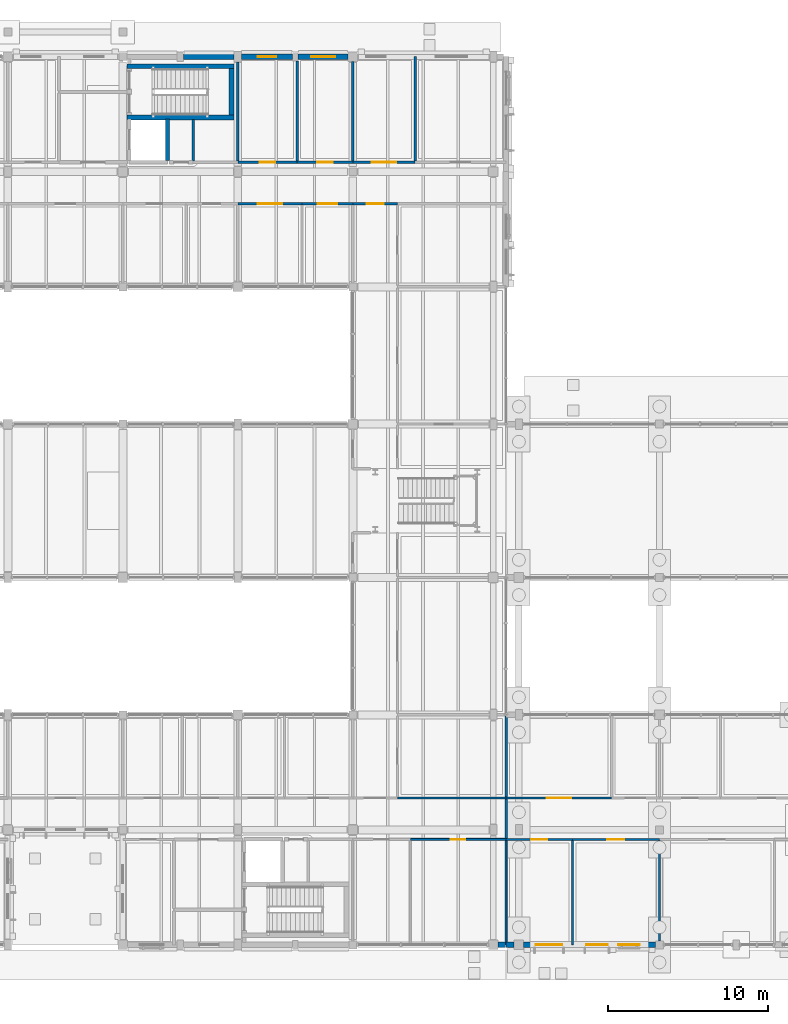
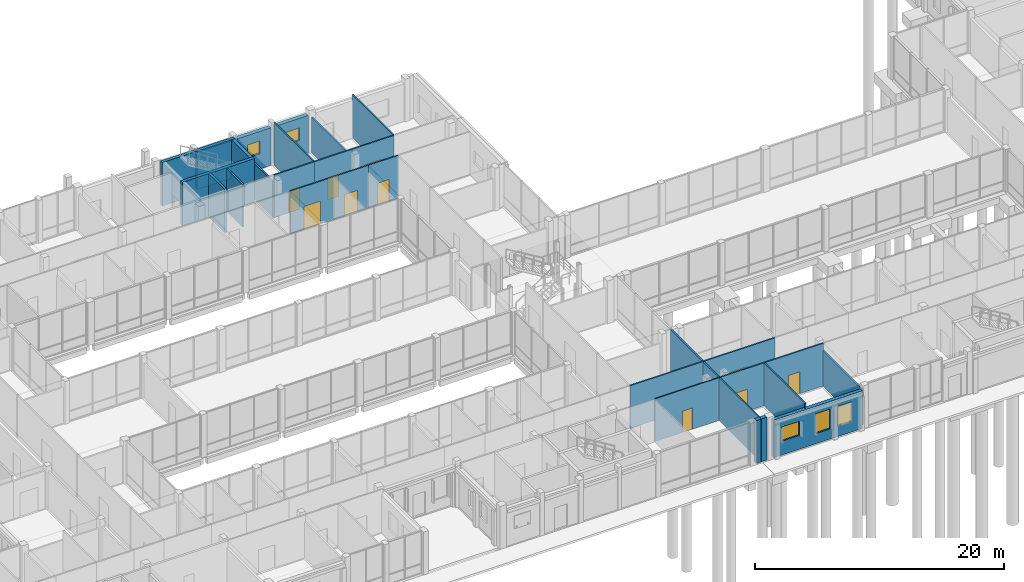
# One storey, part 77 of 104: 31 walls, 10 doors, 5 windows, 15 openings.
"""IFC4 building model written with IfcOpenShell, lengths in metres."""

import ifcopenshell
import ifcopenshell.guid

model = None  # the IFC model being written
_history = None  # IfcOwnerHistory: only IFC2X3 demands one
_inside = {}  # id of a spatial element -> (the spatial element, [elements in it])
_under = {}  # id of a project, library or spatial element -> (it, [spatial elements below it])
_declared = {}  # id of a project -> (the project, [libraries it declares])
_typed = {}  # id of a type object -> (the type object, [elements of that type])
_made_of = {}  # id of a material, layer set ... -> (it, [elements and type objects made of it])


def new_model(schema):
    """Start an empty IFC model of exactly this schema.

    Asked for "IFC4X3", IfcOpenShell would pick the latest addendum, in which some entities
    have other attributes; the version numbers below select the first issue.
    IFC2X3 requires an IfcOwnerHistory on every rooted entity: one is made here for all.
    """
    global model, _history
    if schema == "IFC4X3":
        model = ifcopenshell.file(schema_version=(4, 3, 0, 0))
    else:
        model = ifcopenshell.file(schema=schema)
    _inside.clear()
    _under.clear()
    _declared.clear()
    _typed.clear()
    _made_of.clear()
    _history = None
    if model.schema == "IFC2X3":
        org = make("IfcOrganization", Name="unknown")
        user = make(
            "IfcPersonAndOrganization",
            ThePerson=make("IfcPerson", FamilyName="unknown"),
            TheOrganization=org,
        )
        app = make(
            "IfcApplication",
            ApplicationDeveloper=org,
            Version="unknown",
            ApplicationFullName="unknown",
            ApplicationIdentifier="unknown",
        )
        _history = make(
            "IfcOwnerHistory",
            OwningUser=user,
            OwningApplication=app,
            ChangeAction="ADDED",
            CreationDate=0,
        )
    return model


def make(cls, **values):
    """One entity of the class cls with the attributes given. An attribute that is None is left unset."""
    return model.create_entity(
        cls, **{name: value for name, value in values.items() if value is not None}
    )


def rooted(cls, **values):
    """An entity with a GlobalId (a new one), such as an element, a storey or a relation."""
    return make(cls, GlobalId=ifcopenshell.guid.new(), OwnerHistory=_history, **values)


def si_unit(unit_type, name, prefix=None):
    """IfcSIUnit, for example si_unit("LENGTHUNIT", "METRE", prefix="MILLI")."""
    return make("IfcSIUnit", UnitType=unit_type, Prefix=prefix, Name=name)


def assignment(units):
    """IfcUnitAssignment: the units of a project."""
    return None if units is None else make("IfcUnitAssignment", Units=units)


def point(xyz):
    """IfcCartesianPoint."""
    return None if xyz is None else make("IfcCartesianPoint", Coordinates=xyz)


def direction(xyz):
    """IfcDirection."""
    return None if xyz is None else make("IfcDirection", DirectionRatios=xyz)


def frame(location, z_axis=None, x_axis=None):
    """IfcAxis2Placement3D, a coordinate frame: its origin and axes. An axis left out is left unset."""
    return make(
        "IfcAxis2Placement3D",
        Location=point(location),
        Axis=direction(z_axis),
        RefDirection=direction(x_axis),
    )


def frame_2d(location, x_axis=None):
    """IfcAxis2Placement2D, a coordinate frame in the plane: its origin and x axis."""
    return make(
        "IfcAxis2Placement2D", Location=point(location), RefDirection=direction(x_axis)
    )


def origin():
    """The frame at (0, 0, 0) with its axes left unset."""
    return frame((0.0, 0.0, 0.0))


def place(relative_to, where):
    """IfcLocalPlacement: puts the frame where relative to a parent placement (None: the world)."""
    return make(
        "IfcLocalPlacement", PlacementRelTo=relative_to, RelativePlacement=where
    )


def context(
    kind, dimensions, precision=None, world=None, true_north=None, identifier=None
):
    """IfcGeometricRepresentationContext, for example the 3D "Model" context."""
    return make(
        "IfcGeometricRepresentationContext",
        ContextIdentifier=identifier,
        ContextType=kind,
        CoordinateSpaceDimension=dimensions,
        Precision=precision,
        WorldCoordinateSystem=world,
        TrueNorth=true_north,
    )


def subcontext(parent, identifier, kind, view, scale=None):
    """IfcGeometricRepresentationSubContext, for example "Body" below "Model"."""
    return make(
        "IfcGeometricRepresentationSubContext",
        ContextIdentifier=identifier,
        ContextType=kind,
        ParentContext=parent,
        TargetScale=scale,
        TargetView=view,
    )


def project(units=None, contexts=None):
    """IfcProject with its units and contexts."""
    return rooted(
        "IfcProject",
        Name="project",
        RepresentationContexts=contexts,
        UnitsInContext=assignment(units),
    )


def spatial(cls, under=None, at=None, **own):
    """A site, building, storey or space (cls), placed at a placement, below another one or the project."""
    s = rooted(cls, ObjectPlacement=at, **own)
    if under is not None:
        _under.setdefault(under.id(), (under, []))[1].append(s)
    return s


def profile(cls, at=None, kind="AREA", **sizes):
    """A parametric profile (cls). Its sizes go by their IFC names, for example OverallWidth=200.0."""
    return make(cls, ProfileType=kind, Position=at, **sizes)


def rectangle(**sizes):
    """IfcRectangleProfileDef."""
    return profile("IfcRectangleProfileDef", **sizes)


def extrude(swept, where, along, depth):
    """IfcExtrudedAreaSolid: the profile swept, set in the frame where, extruded along a direction by depth."""
    return make(
        "IfcExtrudedAreaSolid",
        SweptArea=swept,
        Position=where,
        ExtrudedDirection=direction(along),
        Depth=depth,
    )


def shape(context_of_items, identifier, shape_type, items):
    """IfcShapeRepresentation: the items that make up one representation, for example the "Body"."""
    return make(
        "IfcShapeRepresentation",
        ContextOfItems=context_of_items,
        RepresentationIdentifier=identifier,
        RepresentationType=shape_type,
        Items=items,
    )


def material(Name=None, Category=None):
    """IfcMaterial."""
    return make("IfcMaterial", Name=Name, Category=Category)


def layer(
    of_material, thickness, ventilated=None, Name=None, Category=None, Priority=None
):
    """IfcMaterialLayer: one layer of a wall or slab, of a material (None: an air gap)."""
    return make(
        "IfcMaterialLayer",
        Material=of_material,
        LayerThickness=thickness,
        IsVentilated=ventilated,
        Name=Name,
        Category=Category,
        Priority=Priority,
    )


def layer_set(layers, Name=None):
    """IfcMaterialLayerSet."""
    return make("IfcMaterialLayerSet", MaterialLayers=layers, LayerSetName=Name)


def made_of(thing, what):
    """Note that an element or type object is made of a material, layer set ...; save() writes the relation."""
    if what is not None:
        _made_of.setdefault(what.id(), (what, []))[1].append(thing)
    return thing


def type_object(cls, material=None, **own):
    """A type object (cls), such as IfcWallType, which elements share."""
    return made_of(rooted(cls, **own), material)


def element(
    cls,
    number,
    at=None,
    inside=None,
    cuts=None,
    type_object=None,
    material=None,
    context=None,
    identifier="Body",
    shape_type=None,
    held_by="IfcProductDefinitionShape",
    body=None,
    shapes=None,
    **own,
):
    """One element of the class cls, such as IfcWall. Its Tag is "e" and its number.

    at: its placement. inside: the storey or other place that contains it. cuts: it is an
    opening in that element (IfcRelVoidsElement). A single representation is given by context,
    identifier, shape_type and body (its items); several are given by shapes. held_by: the class
    of the entity that holds the representations. save() writes the other relations.
    """
    e = rooted(cls, Tag="e%d" % number, ObjectPlacement=at, **own)
    if body is not None:
        shapes = [shape(context, identifier, shape_type, body)]
    if shapes is not None:
        e.Representation = make(held_by, Representations=shapes)
    if inside is not None:
        _inside.setdefault(inside.id(), (inside, []))[1].append(e)
    if cuts is not None:
        rooted(
            "IfcRelVoidsElement", RelatingBuildingElement=cuts, RelatedOpeningElement=e
        )
    if type_object is not None:
        _typed.setdefault(type_object.id(), (type_object, []))[1].append(e)
    return made_of(e, material)


def fill(opening, filler):
    """IfcRelFillsElement: the door or window that sits in an opening."""
    return rooted(
        "IfcRelFillsElement",
        RelatingOpeningElement=opening,
        RelatedBuildingElement=filler,
    )


def aggregate(whole, parts):
    """IfcRelAggregates: a whole, such as a stair, and the parts it consists of."""
    return rooted("IfcRelAggregates", RelatingObject=whole, RelatedObjects=parts)


def save(model, path):
    """Write the relations noted so far, then the file.

    IfcRelAggregates (storeys below a building ...), IfcRelContainedInSpatialStructure (elements
    in a storey), IfcRelDefinesByType, IfcRelAssociatesMaterial and IfcRelDeclares: one each for
    every whole, place, type object, material and project.
    """
    for whole, parts in _under.values():
        aggregate(whole, parts)
    for where, things in _inside.values():
        rooted(
            "IfcRelContainedInSpatialStructure",
            RelatedElements=things,
            RelatingStructure=where,
        )
    for kind, things in _typed.values():
        rooted("IfcRelDefinesByType", RelatedObjects=things, RelatingType=kind)
    for what, things in _made_of.values():
        rooted("IfcRelAssociatesMaterial", RelatedObjects=things, RelatingMaterial=what)
    for by, libraries in _declared.values():
        rooted("IfcRelDeclares", RelatingContext=by, RelatedDefinitions=libraries)
    model.write(path)


model = new_model("IFC4")

# Units and contexts
model_context = context("Model", 3, precision=1e-05, world=origin(), true_north=direction((0.0, 1.0)))
body_context = subcontext(model_context, "Body", "Model", "MODEL_VIEW")
ifc_project = project(units=[si_unit("LENGTHUNIT", "METRE"), si_unit("AREAUNIT", "SQUARE_METRE"), si_unit("VOLUMEUNIT", "CUBIC_METRE"), si_unit("PLANEANGLEUNIT", "RADIAN"), si_unit("MASSUNIT", "GRAM", prefix="KILO")], contexts=[model_context])

# Site, building, storey
site_placement = place(None, origin())
site = spatial("IfcSite", under=ifc_project, at=site_placement, CompositionType="ELEMENT")
building_placement = place(site_placement, origin())
building = spatial("IfcBuilding", under=site, at=building_placement, Name="Hawrajan Terrace Health Centre", CompositionType="ELEMENT")
storey_placement = place(building_placement, origin())
storey = spatial("IfcBuildingStorey", under=building, at=storey_placement, Name="L00", CompositionType="ELEMENT", Elevation=0.0)

# Wall, opening, door
ifc_material_1 = material(Name="Gypsum board on acoustic stud framing")
ifc_layer_1 = layer(ifc_material_1, 0.139892578125)
ifc_layer_set_1 = layer_set([ifc_layer_1], Name="Gypsum board on acoustic stud framing")
wall_type_1 = type_object("IfcWallType", Name="ClinicalAcousticWall_140", PredefinedType="PARTITIONING", material=ifc_layer_set_1)
wall_1_placement = place(storey_placement, frame((55.0, 50.60009765625, 0.0), z_axis=(0.0, 0.0, 1.0), x_axis=(1.0, 0.0, 0.0)))
wall_1 = element("IfcWall", 1, at=wall_1_placement, inside=storey, type_object=wall_type_1, Name="Interior wall IW-L00-0324", PredefinedType="PARTITIONING", context=body_context, shape_type="SweptSolid", body=[
    extrude(rectangle(XDim=4.02490234375, YDim=0.139892578125, at=frame_2d((2.012451171875, 0.0))), origin(), (0.0, 0.0, 1.0), 4.179931640625),
])
opening_1_placement = place(wall_1_placement, frame((1.242431640625, 0.0, 0.0)))
opening_1 = element("IfcOpeningElement", 2, at=opening_1_placement, cuts=wall_1, Name="Opening D-L00-176", PredefinedType="OPENING", context=body_context, shape_type="SweptSolid", body=[
    extrude(rectangle(XDim=1.5400390625, YDim=2.25, at=frame_2d((0.77001953125, 1.125))), frame((0.0, 0.079833984375, 0.0), z_axis=(0.0, -1.0, 0.0), x_axis=(1.0, 0.0, 0.0)), (0.0, 0.0, 1.0), 0.159912109375),
])
ifc_material_2 = material(Name="Hardwood acoustic clinical door leaf and frame", Category="wood")
door_type_1 = type_object("IfcDoorType", Name="RecoveryBayDoor_1540x2250", OperationType="DOUBLE_DOOR_SINGLE_SWING", PredefinedType="DOOR", material=ifc_material_2)
door_1_placement = place(opening_1_placement, origin())
door_1 = element("IfcDoor", 3, at=door_1_placement, inside=storey, type_object=door_type_1, Name="Interior door D-L00-176", OperationType="DOUBLE_DOOR_SINGLE_SWING", OverallHeight=2.25, OverallWidth=1.5400390625, PredefinedType="DOOR", context=body_context, shape_type="SweptSolid", body=[
    extrude(rectangle(XDim=1.5400390625, YDim=2.25, at=frame_2d((0.77001953125, 1.125))), frame((0.0, 0.02490234375, 0.0), z_axis=(0.0, -1.0, 0.0), x_axis=(1.0, 0.0, 0.0)), (0.0, 0.0, 1.0), 0.050048828125),
])
fill(opening_1, door_1)

wall_2_placement = place(storey_placement, frame((55.0, 53.199951171875, 0.0), z_axis=(0.0, 0.0, 1.0), x_axis=(1.0, 0.0, 0.0)))
wall_2 = element("IfcWall", 4, at=wall_2_placement, inside=storey, type_object=wall_type_1, Name="Interior wall IW-L00-0325", PredefinedType="PARTITIONING", context=body_context, shape_type="SweptSolid", body=[
    extrude(rectangle(XDim=3.721923828125, YDim=0.139892578125, at=frame_2d((1.86083984375, 0.0))), origin(), (0.0, 0.0, 1.0), 4.179931640625),
])
opening_2_placement = place(wall_2_placement, frame((1.385986328125, 0.0, 0.0)))
opening_2 = element("IfcOpeningElement", 5, at=opening_2_placement, cuts=wall_2, Name="Opening D-L00-178", PredefinedType="OPENING", context=body_context, shape_type="SweptSolid", body=[
    extrude(rectangle(XDim=0.949951171875, YDim=2.10009765625, at=frame_2d((0.47509765625, 1.050048828125))), frame((0.0, 0.079833984375, 0.0), z_axis=(0.0, -1.0, 0.0), x_axis=(1.0, 0.0, 0.0)), (0.0, 0.0, 1.0), 0.159912109375),
])
door_type_2 = type_object("IfcDoorType", Name="AccessibleWCDoor_950x2100", OperationType="NOTDEFINED", PredefinedType="DOOR", material=ifc_material_2)
door_2_placement = place(opening_2_placement, origin())
door_2 = element("IfcDoor", 6, at=door_2_placement, inside=storey, type_object=door_type_2, Name="Interior door D-L00-178", OperationType="SINGLE_SWING_RIGHT", OverallHeight=2.10009765625, OverallWidth=0.949951171875, PredefinedType="DOOR", context=body_context, shape_type="SweptSolid", body=[
    extrude(rectangle(XDim=0.949951171875, YDim=2.10009765625, at=frame_2d((0.47509765625, 1.050048828125))), frame((0.0, 0.02490234375, 0.0), z_axis=(0.0, -1.0, 0.0), x_axis=(1.0, 0.0, 0.0)), (0.0, 0.0, 1.0), 0.050048828125),
])
fill(opening_2, door_2)

# Wall
wall_3_placement = place(storey_placement, frame((58.721923828125, 53.27001953125, 0.0), z_axis=(0.0, 0.0, 1.0), x_axis=(0.0, 1.0, 0.0)))
element("IfcWall", 7, at=wall_3_placement, inside=storey, type_object=wall_type_1, Name="Interior wall IW-L00-0329", PredefinedType="PARTITIONING", context=body_context, shape_type="SweptSolid", body=[
    extrude(rectangle(XDim=6.2548828125, YDim=0.139892578125, at=frame_2d((3.12744140625, 0.0))), origin(), (0.0, 0.0, 1.0), 4.179931640625),
])

# Wall, opening, door
wall_4_placement = place(storey_placement, frame((58.721923828125, 53.199951171875, 0.0), z_axis=(0.0, 0.0, 1.0), x_axis=(1.0, 0.0, 0.0)))
wall_4 = element("IfcWall", 8, at=wall_4_placement, inside=storey, type_object=wall_type_1, Name="Interior wall IW-L00-0330", PredefinedType="PARTITIONING", context=body_context, shape_type="SweptSolid", body=[
    extrude(rectangle(XDim=3.47802734375, YDim=0.139892578125, at=frame_2d((1.739013671875, 0.0))), origin(), (0.0, 0.0, 1.0), 4.179931640625),
])
opening_3_placement = place(wall_4_placement, frame((1.2490234375, 0.0, 0.0)))
opening_3 = element("IfcOpeningElement", 9, at=opening_3_placement, cuts=wall_4, Name="Opening D-L00-179", PredefinedType="OPENING", context=body_context, shape_type="SweptSolid", body=[
    extrude(rectangle(XDim=0.97998046875, YDim=2.14990234375, at=frame_2d((0.489990234375, 1.074951171875))), frame((0.0, 0.079833984375, 0.0), z_axis=(0.0, -1.0, 0.0), x_axis=(1.0, 0.0, 0.0)), (0.0, 0.0, 1.0), 0.159912109375),
])
door_type_3 = type_object("IfcDoorType", Name="ConsultDoor_980x2150", OperationType="NOTDEFINED", PredefinedType="DOOR", material=ifc_material_2)
door_3_placement = place(opening_3_placement, origin())
door_3 = element("IfcDoor", 10, at=door_3_placement, inside=storey, type_object=door_type_3, Name="Interior door D-L00-179", OperationType="SINGLE_SWING_LEFT", OverallHeight=2.14990234375, OverallWidth=0.97998046875, PredefinedType="DOOR", context=body_context, shape_type="SweptSolid", body=[
    extrude(rectangle(XDim=0.97998046875, YDim=2.14990234375, at=frame_2d((0.489990234375, 1.074951171875))), frame((0.0, 0.02490234375, 0.0), z_axis=(0.0, -1.0, 0.0), x_axis=(1.0, 0.0, 0.0)), (0.0, 0.0, 1.0), 0.050048828125),
])
fill(opening_3, door_3)

wall_5_placement = place(storey_placement, frame((59.02490234375, 50.60009765625, 0.0), z_axis=(0.0, 0.0, 1.0), x_axis=(1.0, 0.0, 0.0)))
wall_5 = element("IfcWall", 11, at=wall_5_placement, inside=storey, type_object=wall_type_1, Name="Interior wall IW-L00-0332", PredefinedType="PARTITIONING", context=body_context, shape_type="SweptSolid", body=[
    extrude(rectangle(XDim=3.175048828125, YDim=0.139892578125, at=frame_2d((1.58740234375, 0.0))), origin(), (0.0, 0.0, 1.0), 4.179931640625),
])
opening_4_placement = place(wall_5_placement, frame((0.9775390625, 0.0, 0.0)))
opening_4 = element("IfcOpeningElement", 12, at=opening_4_placement, cuts=wall_5, Name="Opening D-L00-177", PredefinedType="OPENING", context=body_context, shape_type="SweptSolid", body=[
    extrude(rectangle(XDim=1.219970703125, YDim=2.10009765625, at=frame_2d((0.60986328125, 1.050048828125))), frame((0.0, 0.079833984375, 0.0), z_axis=(0.0, -1.0, 0.0), x_axis=(1.0, 0.0, 0.0)), (0.0, 0.0, 1.0), 0.159912109375),
])
door_type_4 = type_object("IfcDoorType", Name="ConsultDoor_1220x2100", OperationType="NOTDEFINED", PredefinedType="DOOR", material=ifc_material_2)
door_4_placement = place(opening_4_placement, origin())
door_4 = element("IfcDoor", 13, at=door_4_placement, inside=storey, type_object=door_type_4, Name="Interior door D-L00-177", OperationType="SINGLE_SWING_LEFT", OverallHeight=2.10009765625, OverallWidth=1.219970703125, PredefinedType="DOOR", context=body_context, shape_type="SweptSolid", body=[
    extrude(rectangle(XDim=1.219970703125, YDim=2.10009765625, at=frame_2d((0.60986328125, 1.050048828125))), frame((0.0, 0.02490234375, 0.0), z_axis=(0.0, -1.0, 0.0), x_axis=(1.0, 0.0, 0.0)), (0.0, 0.0, 1.0), 0.050048828125),
])
fill(opening_4, door_4)

wall_6_placement = place(storey_placement, frame((62.199951171875, 50.60009765625, 0.0), z_axis=(0.0, 0.0, 1.0), x_axis=(1.0, 0.0, 0.0)))
wall_6 = element("IfcWall", 14, at=wall_6_placement, inside=storey, type_object=wall_type_1, Name="Interior wall IW-L00-0339", PredefinedType="PARTITIONING", context=body_context, shape_type="SweptSolid", body=[
    extrude(rectangle(XDim=2.800048828125, YDim=0.139892578125, at=frame_2d((1.39990234375, 0.0))), origin(), (0.0, 0.0, 1.0), 4.179931640625),
])
opening_5_placement = place(wall_6_placement, frame((0.8701171875, 0.0, 0.0)))
opening_5 = element("IfcOpeningElement", 15, at=opening_5_placement, cuts=wall_6, Name="Opening D-L00-111", PredefinedType="OPENING", context=body_context, shape_type="SweptSolid", body=[
    extrude(rectangle(XDim=1.06005859375, YDim=2.14990234375, at=frame_2d((0.530029296875, 1.074951171875))), frame((0.0, 0.079833984375, 0.0), z_axis=(0.0, -1.0, 0.0), x_axis=(1.0, 0.0, 0.0)), (0.0, 0.0, 1.0), 0.159912109375),
])
door_type_5 = type_object("IfcDoorType", Name="MentalHealthDoor_1060x2150", OperationType="NOTDEFINED", PredefinedType="DOOR", material=ifc_material_2)
door_5_placement = place(opening_5_placement, origin())
door_5 = element("IfcDoor", 16, at=door_5_placement, inside=storey, type_object=door_type_5, Name="Interior door D-L00-111", OperationType="SINGLE_SWING_LEFT", OverallHeight=2.14990234375, OverallWidth=1.06005859375, PredefinedType="DOOR", context=body_context, shape_type="SweptSolid", body=[
    extrude(rectangle(XDim=1.06005859375, YDim=2.14990234375, at=frame_2d((0.530029296875, 1.074951171875))), frame((0.0, 0.02490234375, 0.0), z_axis=(0.0, -1.0, 0.0), x_axis=(1.0, 0.0, 0.0)), (0.0, 0.0, 1.0), 0.050048828125),
])
fill(opening_5, door_5)

# Wall
wall_7_placement = place(storey_placement, frame((62.199951171875, 53.27001953125, 0.0), z_axis=(0.0, 0.0, 1.0), x_axis=(0.0, 1.0, 0.0)))
element("IfcWall", 17, at=wall_7_placement, inside=storey, type_object=wall_type_1, Name="Interior wall IW-L00-0340", PredefinedType="PARTITIONING", context=body_context, shape_type="SweptSolid", body=[
    extrude(rectangle(XDim=6.22998046875, YDim=0.139892578125, at=frame_2d((3.114990234375, 0.0))), origin(), (0.0, 0.0, 1.0), 3.5),
])

# Wall, opening, door
wall_8_placement = place(storey_placement, frame((62.199951171875, 53.199951171875, 0.0), z_axis=(0.0, 0.0, 1.0), x_axis=(1.0, 0.0, 0.0)))
wall_8 = element("IfcWall", 18, at=wall_8_placement, inside=storey, type_object=wall_type_1, Name="Interior wall IW-L00-0341", PredefinedType="PARTITIONING", context=body_context, shape_type="SweptSolid", body=[
    extrude(rectangle(XDim=3.905029296875, YDim=0.139892578125, at=frame_2d((1.95263671875, 0.0))), origin(), (0.0, 0.0, 1.0), 4.179931640625),
])
opening_6_placement = place(wall_8_placement, frame((1.1826171875, 0.0, 0.0)))
opening_6 = element("IfcOpeningElement", 19, at=opening_6_placement, cuts=wall_8, Name="Opening D-L00-181", PredefinedType="OPENING", context=body_context, shape_type="SweptSolid", body=[
    extrude(rectangle(XDim=1.5400390625, YDim=2.25, at=frame_2d((0.77001953125, 1.125))), frame((0.0, 0.079833984375, 0.0), z_axis=(0.0, -1.0, 0.0), x_axis=(1.0, 0.0, 0.0)), (0.0, 0.0, 1.0), 0.159912109375),
])
door_6_placement = place(opening_6_placement, origin())
door_6 = element("IfcDoor", 20, at=door_6_placement, inside=storey, type_object=door_type_1, Name="Interior door D-L00-181", OperationType="DOUBLE_DOOR_SINGLE_SWING", OverallHeight=2.25, OverallWidth=1.5400390625, PredefinedType="DOOR", context=body_context, shape_type="SweptSolid", body=[
    extrude(rectangle(XDim=1.5400390625, YDim=2.25, at=frame_2d((0.77001953125, 1.125))), frame((0.0, 0.02490234375, 0.0), z_axis=(0.0, -1.0, 0.0), x_axis=(1.0, 0.0, 0.0)), (0.0, 0.0, 1.0), 0.050048828125),
])
fill(opening_6, door_6)

# Walls
wall_9_placement = place(storey_placement, frame((65.0, 13.39990234375, 0.0), z_axis=(0.0, 0.0, 1.0), x_axis=(1.0, 0.0, 0.0)))
element("IfcWall", 21, at=wall_9_placement, inside=storey, type_object=wall_type_1, Name="Interior wall IW-L00-0343", PredefinedType="PARTITIONING", context=body_context, shape_type="SweptSolid", body=[
    extrude(rectangle(XDim=6.794921875, YDim=0.139892578125, at=frame_2d((3.3974609375, 0.0))), origin(), (0.0, 0.0, 1.0), 4.179931640625),
])
wall_10_placement = place(storey_placement, frame((66.10498046875, 53.27001953125, 0.0), z_axis=(0.0, 0.0, 1.0), x_axis=(0.0, 1.0, 0.0)))
element("IfcWall", 22, at=wall_10_placement, inside=storey, type_object=wall_type_1, Name="Interior wall IW-L00-0360", PredefinedType="PARTITIONING", context=body_context, shape_type="SweptSolid", body=[
    extrude(rectangle(XDim=6.530029296875, YDim=0.139892578125, at=frame_2d((3.26513671875, 0.0))), origin(), (0.0, 0.0, 1.0), 4.179931640625),
])

# Wall, opening, door
wall_11_placement = place(storey_placement, frame((71.804931640625, 10.800048828125, 0.0), z_axis=(0.0, 0.0, 1.0), x_axis=(1.0, 0.0, 0.0)))
wall_11 = element("IfcWall", 23, at=wall_11_placement, inside=storey, type_object=wall_type_1, Name="Interior wall IW-L00-0362", PredefinedType="PARTITIONING", context=body_context, shape_type="SweptSolid", body=[
    extrude(rectangle(XDim=4.14501953125, YDim=0.139892578125, at=frame_2d((2.072509765625, 0.0))), origin(), (0.0, 0.0, 1.0), 4.179931640625),
])
opening_7_placement = place(wall_11_placement, frame((1.58251953125, 0.0, 0.0)))
opening_7 = element("IfcOpeningElement", 24, at=opening_7_placement, cuts=wall_11, Name="Opening D-L00-189", PredefinedType="OPENING", context=body_context, shape_type="SweptSolid", body=[
    extrude(rectangle(XDim=0.97998046875, YDim=2.14990234375, at=frame_2d((0.489990234375, 1.074951171875))), frame((0.0, 0.079833984375, 0.0), z_axis=(0.0, -1.0, 0.0), x_axis=(1.0, 0.0, 0.0)), (0.0, 0.0, 1.0), 0.159912109375),
])
door_7_placement = place(opening_7_placement, origin())
door_7 = element("IfcDoor", 25, at=door_7_placement, inside=storey, type_object=door_type_3, Name="Interior door D-L00-189", OperationType="SINGLE_SWING_LEFT", OverallHeight=2.14990234375, OverallWidth=0.97998046875, PredefinedType="DOOR", context=body_context, shape_type="SweptSolid", body=[
    extrude(rectangle(XDim=0.97998046875, YDim=2.14990234375, at=frame_2d((0.489990234375, 1.074951171875))), frame((0.0, 0.02490234375, 0.0), z_axis=(0.0, -1.0, 0.0), x_axis=(1.0, 0.0, 0.0)), (0.0, 0.0, 1.0), 0.050048828125),
])
fill(opening_7, door_7)

wall_12_placement = place(storey_placement, frame((71.804931640625, 13.39990234375, 0.0), z_axis=(0.0, 0.0, 1.0), x_axis=(1.0, 0.0, 0.0)))
wall_12 = element("IfcWall", 26, at=wall_12_placement, inside=storey, type_object=wall_type_1, Name="Interior wall IW-L00-0363", PredefinedType="PARTITIONING", context=body_context, shape_type="SweptSolid", body=[
    extrude(rectangle(XDim=6.60107421875, YDim=0.139892578125, at=frame_2d((3.300537109375, 0.0))), origin(), (0.0, 0.0, 1.0), 4.179931640625),
])
opening_8_placement = place(wall_12_placement, frame((2.530517578125, 0.0, 0.0)))
opening_8 = element("IfcOpeningElement", 27, at=opening_8_placement, cuts=wall_12, Name="Opening D-L00-191", PredefinedType="OPENING", context=body_context, shape_type="SweptSolid", body=[
    extrude(rectangle(XDim=1.5400390625, YDim=2.25, at=frame_2d((0.77001953125, 1.125))), frame((0.0, 0.079833984375, 0.0), z_axis=(0.0, -1.0, 0.0), x_axis=(1.0, 0.0, 0.0)), (0.0, 0.0, 1.0), 0.159912109375),
])
door_8_placement = place(opening_8_placement, origin())
door_8 = element("IfcDoor", 28, at=door_8_placement, inside=storey, type_object=door_type_1, Name="Interior door D-L00-191", OperationType="DOUBLE_DOOR_SINGLE_SWING", OverallHeight=2.25, OverallWidth=1.5400390625, PredefinedType="DOOR", context=body_context, shape_type="SweptSolid", body=[
    extrude(rectangle(XDim=1.5400390625, YDim=2.25, at=frame_2d((0.77001953125, 1.125))), frame((0.0, 0.02490234375, 0.0), z_axis=(0.0, -1.0, 0.0), x_axis=(1.0, 0.0, 0.0)), (0.0, 0.0, 1.0), 0.050048828125),
])
fill(opening_8, door_8)

# Wall
wall_13_placement = place(storey_placement, frame((75.949951171875, 4.199951171875, 0.0), z_axis=(0.0, 0.0, 1.0), x_axis=(0.0, 1.0, 0.0)))
element("IfcWall", 29, at=wall_13_placement, inside=storey, type_object=wall_type_1, Name="Interior wall IW-L00-0364", PredefinedType="PARTITIONING", context=body_context, shape_type="SweptSolid", body=[
    extrude(rectangle(XDim=6.530029296875, YDim=0.139892578125, at=frame_2d((3.26513671875, 0.0))), origin(), (0.0, 0.0, 1.0), 4.179931640625),
])

# Wall, opening, door
wall_14_placement = place(storey_placement, frame((75.949951171875, 10.800048828125, 0.0), z_axis=(0.0, 0.0, 1.0), x_axis=(1.0, 0.0, 0.0)))
wall_14 = element("IfcWall", 30, at=wall_14_placement, inside=storey, type_object=wall_type_1, Name="Interior wall IW-L00-0365", PredefinedType="PARTITIONING", context=body_context, shape_type="SweptSolid", body=[
    extrude(rectangle(XDim=5.449951171875, YDim=0.139892578125, at=frame_2d((2.72509765625, 0.0))), origin(), (0.0, 0.0, 1.0), 4.179931640625),
])
opening_9_placement = place(wall_14_placement, frame((2.195068359375, 0.0, 0.0)))
opening_9 = element("IfcOpeningElement", 31, at=opening_9_placement, cuts=wall_14, Name="Opening D-L00-190", PredefinedType="OPENING", context=body_context, shape_type="SweptSolid", body=[
    extrude(rectangle(XDim=1.06005859375, YDim=2.14990234375, at=frame_2d((0.530029296875, 1.074951171875))), frame((0.0, 0.079833984375, 0.0), z_axis=(0.0, -1.0, 0.0), x_axis=(1.0, 0.0, 0.0)), (0.0, 0.0, 1.0), 0.159912109375),
])
door_9_placement = place(opening_9_placement, origin())
door_9 = element("IfcDoor", 32, at=door_9_placement, inside=storey, type_object=door_type_5, Name="Interior door D-L00-190", OperationType="SINGLE_SWING_RIGHT", OverallHeight=2.14990234375, OverallWidth=1.06005859375, PredefinedType="DOOR", context=body_context, shape_type="SweptSolid", body=[
    extrude(rectangle(XDim=1.06005859375, YDim=2.14990234375, at=frame_2d((0.530029296875, 1.074951171875))), frame((0.0, 0.02490234375, 0.0), z_axis=(0.0, -1.0, 0.0), x_axis=(1.0, 0.0, 0.0)), (0.0, 0.0, 1.0), 0.050048828125),
])
fill(opening_9, door_9)

# Walls
wall_15_placement = place(storey_placement, frame((81.39990234375, 4.449951171875, 0.0), z_axis=(0.0, 0.0, 1.0), x_axis=(0.0, 1.0, 0.0)))
element("IfcWall", 33, at=wall_15_placement, inside=storey, type_object=wall_type_1, Name="Interior wall IW-L00-0368", PredefinedType="PARTITIONING", context=body_context, shape_type="SweptSolid", body=[
    extrude(rectangle(XDim=6.280029296875, YDim=0.139892578125, at=frame_2d((3.14013671875, 0.0))), origin(), (0.0, 0.0, 1.0), 3.5),
])
ifc_material_3 = material(Name="Precast concrete C40/50", Category="concrete")
ifc_layer_2 = layer(ifc_material_3, 0.340087890625)
ifc_layer_set_2 = layer_set([ifc_layer_2], Name="Precast concrete C40/50")
wall_type_2 = type_object("IfcWallType", Name="CoralAshlarWall_340", PredefinedType="SOLIDWALL", material=ifc_layer_set_2)
wall_16_placement = place(storey_placement, frame((51.60009765625, 59.800048828125, 0.0), z_axis=(0.0, 0.0, 1.0), x_axis=(1.0, 0.0, 0.0)))
element("IfcWall", 34, at=wall_16_placement, inside=storey, type_object=wall_type_2, Name="Exterior wall EW-L00-H06-07-2", PredefinedType="SOLIDWALL", context=body_context, shape_type="SweptSolid", body=[
    extrude(rectangle(XDim=3.1748046875, YDim=0.340087890625, at=frame_2d((1.58740234375, 0.0))), origin(), (0.0, 0.0, 1.0), 3.679931640625),
])
wall_17_placement = place(storey_placement, frame((71.804931640625, 4.199951171875, 0.0), z_axis=(0.0, 0.0, 1.0), x_axis=(1.0, 0.0, 0.0)))
element("IfcWall", 35, at=wall_17_placement, inside=storey, type_object=wall_type_2, Name="Exterior wall EW-L00-H09-00-1", PredefinedType="SOLIDWALL", context=body_context, shape_type="SweptSolid", body=[
    extrude(rectangle(XDim=0.4951171875, YDim=0.340087890625, at=frame_2d((0.24755859375, 0.0))), origin(), (0.0, 0.0, 1.0), 4.199951171875),
])

# Wall, openings, windows
wall_18_placement = place(storey_placement, frame((72.89990234375, 4.199951171875, 0.0), z_axis=(0.0, 0.0, 1.0), x_axis=(1.0, 0.0, 0.0)))
wall_18 = element("IfcWall", 36, at=wall_18_placement, inside=storey, type_object=wall_type_2, Name="Exterior wall EW-L00-H09-00-2", PredefinedType="SOLIDWALL", context=body_context, shape_type="SweptSolid", body=[
    extrude(rectangle(XDim=8.25, YDim=0.340087890625, at=frame_2d((4.125, 0.0))), origin(), (0.0, 0.0, 1.0), 3.679931640625),
])
opening_10_placement = place(wall_18_placement, frame((0.760009765625, 0.0, 1.35009765625)))
opening_10 = element("IfcOpeningElement", 37, at=opening_10_placement, cuts=wall_18, Name="Opening W-L00-034", PredefinedType="OPENING", context=body_context, shape_type="SweptSolid", body=[
    extrude(rectangle(XDim=1.64990234375, YDim=1.39990234375, at=frame_2d((0.824951171875, 0.699951171875))), frame((0.0, 0.179931640625, 0.0), z_axis=(0.0, -1.0, 0.0), x_axis=(1.0, 0.0, 0.0)), (0.0, 0.0, 1.0), 0.360107421875),
])
opening_11_placement = place(wall_18_placement, frame((3.909912109375, 0.0, 1.0)))
opening_11 = element("IfcOpeningElement", 38, at=opening_11_placement, cuts=wall_18, Name="Opening W-L00-035", PredefinedType="OPENING", context=body_context, shape_type="SweptSolid", body=[
    extrude(rectangle(XDim=1.340087890625, YDim=1.949951171875, at=frame_2d((0.669921875, 0.97509765625))), frame((0.0, 0.179931640625, 0.0), z_axis=(0.0, -1.0, 0.0), x_axis=(1.0, 0.0, 0.0)), (0.0, 0.0, 1.0), 0.360107421875),
])
opening_12_placement = place(wall_18_placement, frame((5.929931640625, 0.0, 1.0)))
opening_12 = element("IfcOpeningElement", 39, at=opening_12_placement, cuts=wall_18, Name="Opening W-L00-036", PredefinedType="OPENING", context=body_context, shape_type="SweptSolid", body=[
    extrude(rectangle(XDim=1.340087890625, YDim=1.949951171875, at=frame_2d((0.669921875, 0.97509765625))), frame((0.0, 0.179931640625, 0.0), z_axis=(0.0, -1.0, 0.0), x_axis=(1.0, 0.0, 0.0)), (0.0, 0.0, 1.0), 0.360107421875),
])
ifc_material_4 = material(Name="Anodized bronze frame with double low-E glazing", Category="glass")
window_type_1 = type_object("IfcWindowType", Name="FacadeWindow_1340x1950", PartitioningType="SINGLE_PANEL", PredefinedType="WINDOW", material=ifc_material_4)
window_1_placement = place(opening_11_placement, origin())
window_1 = element("IfcWindow", 40, at=window_1_placement, inside=storey, type_object=window_type_1, Name="Window W-L00-035", OverallHeight=1.949951171875, OverallWidth=1.340087890625, PartitioningType="SINGLE_PANEL", PredefinedType="WINDOW", context=body_context, shape_type="SweptSolid", body=[
    extrude(rectangle(XDim=1.340087890625, YDim=1.949951171875, at=frame_2d((0.669921875, 0.97509765625))), frame((0.0, 0.030029296875, 0.0), z_axis=(0.0, -1.0, 0.0), x_axis=(1.0, 0.0, 0.0)), (0.0, 0.0, 1.0), 0.06005859375),
])
fill(opening_11, window_1)
window_2_placement = place(opening_12_placement, origin())
window_2 = element("IfcWindow", 41, at=window_2_placement, inside=storey, type_object=window_type_1, Name="Window W-L00-036", OverallHeight=1.949951171875, OverallWidth=1.340087890625, PartitioningType="SINGLE_PANEL", PredefinedType="WINDOW", context=body_context, shape_type="SweptSolid", body=[
    extrude(rectangle(XDim=1.340087890625, YDim=1.949951171875, at=frame_2d((0.669921875, 0.97509765625))), frame((0.0, 0.030029296875, 0.0), z_axis=(0.0, -1.0, 0.0), x_axis=(1.0, 0.0, 0.0)), (0.0, 0.0, 1.0), 0.06005859375),
])
fill(opening_12, window_2)
window_type_2 = type_object("IfcWindowType", Name="FacadeWindow_1650x1400", PartitioningType="DOUBLE_PANEL_VERTICAL", PredefinedType="WINDOW", material=ifc_material_4)
window_3_placement = place(opening_10_placement, origin())
window_3 = element("IfcWindow", 42, at=window_3_placement, inside=storey, type_object=window_type_2, Name="Window W-L00-034", OverallHeight=1.39990234375, OverallWidth=1.64990234375, PartitioningType="DOUBLE_PANEL_VERTICAL", PredefinedType="WINDOW", context=body_context, shape_type="SweptSolid", body=[
    extrude(rectangle(XDim=1.64990234375, YDim=1.39990234375, at=frame_2d((0.824951171875, 0.699951171875))), frame((0.0, 0.030029296875, 0.0), z_axis=(0.0, -1.0, 0.0), x_axis=(1.0, 0.0, 0.0)), (0.0, 0.0, 1.0), 0.06005859375),
])
fill(opening_10, window_3)

# Wall, opening, window
ifc_layer_3 = layer(ifc_material_3, 0.360107421875)
ifc_layer_set_3 = layer_set([ifc_layer_3], Name="Precast concrete C40/50")
wall_type_3 = type_object("IfcWallType", Name="CoralPodiumWall_360", PredefinedType="SOLIDWALL", material=ifc_layer_set_3)
wall_19_placement = place(storey_placement, frame((55.22509765625, 59.800048828125, 0.0), z_axis=(0.0, 0.0, 1.0), x_axis=(1.0, 0.0, 0.0)))
wall_19 = element("IfcWall", 43, at=wall_19_placement, inside=storey, type_object=wall_type_3, Name="Exterior wall EW-L00-H07-07-1", PredefinedType="SOLIDWALL", context=body_context, shape_type="SweptSolid", body=[
    extrude(rectangle(XDim=3.199951171875, YDim=0.360107421875, at=frame_2d((1.60009765625, 0.0))), origin(), (0.0, 0.0, 1.0), 3.679931640625),
])
opening_13_placement = place(wall_19_placement, frame((1.02490234375, 0.0, 1.5)))
opening_13 = element("IfcOpeningElement", 44, at=opening_13_placement, cuts=wall_19, Name="Opening W-L00-027", PredefinedType="OPENING", context=body_context, shape_type="SweptSolid", body=[
    extrude(rectangle(XDim=1.14990234375, YDim=1.25, at=frame_2d((0.574951171875, 0.625))), frame((0.0, 0.18994140625, 0.0), z_axis=(0.0, -1.0, 0.0), x_axis=(1.0, 0.0, 0.0)), (0.0, 0.0, 1.0), 0.380126953125),
])
window_type_3 = type_object("IfcWindowType", Name="FacadeWindow_1150x1250", PartitioningType="SINGLE_PANEL", PredefinedType="WINDOW", material=ifc_material_4)
window_4_placement = place(opening_13_placement, origin())
window_4 = element("IfcWindow", 45, at=window_4_placement, inside=storey, type_object=window_type_3, Name="Window W-L00-027", OverallHeight=1.25, OverallWidth=1.14990234375, PartitioningType="SINGLE_PANEL", PredefinedType="WINDOW", context=body_context, shape_type="SweptSolid", body=[
    extrude(rectangle(XDim=1.14990234375, YDim=1.25, at=frame_2d((0.574951171875, 0.625))), frame((0.0, 0.030029296875, 0.0), z_axis=(0.0, -1.0, 0.0), x_axis=(1.0, 0.0, 0.0)), (0.0, 0.0, 1.0), 0.06005859375),
])
fill(opening_13, window_4)

wall_20_placement = place(storey_placement, frame((58.77490234375, 59.800048828125, 0.0), z_axis=(0.0, 0.0, 1.0), x_axis=(1.0, 0.0, 0.0)))
wall_20 = element("IfcWall", 46, at=wall_20_placement, inside=storey, type_object=wall_type_3, Name="Exterior wall EW-L00-H07-07-2", PredefinedType="SOLIDWALL", context=body_context, shape_type="SweptSolid", body=[
    extrude(rectangle(XDim=3.125, YDim=0.360107421875, at=frame_2d((1.5625, 0.0))), origin(), (0.0, 0.0, 1.0), 3.679931640625),
])
opening_14_placement = place(wall_20_placement, frame((0.8125, 0.0, 1.5)))
opening_14 = element("IfcOpeningElement", 47, at=opening_14_placement, cuts=wall_20, Name="Opening W-L00-028", PredefinedType="OPENING", context=body_context, shape_type="SweptSolid", body=[
    extrude(rectangle(XDim=1.5, YDim=1.25, at=frame_2d((0.75, 0.625))), frame((0.0, 0.18994140625, 0.0), z_axis=(0.0, -1.0, 0.0), x_axis=(1.0, 0.0, 0.0)), (0.0, 0.0, 1.0), 0.380126953125),
])
window_type_4 = type_object("IfcWindowType", Name="FacadeWindow_1500x1250", PartitioningType="DOUBLE_PANEL_VERTICAL", PredefinedType="WINDOW", material=ifc_material_4)
window_5_placement = place(opening_14_placement, origin())
window_5 = element("IfcWindow", 48, at=window_5_placement, inside=storey, type_object=window_type_4, Name="Window W-L00-028", OverallHeight=1.25, OverallWidth=1.5, PartitioningType="DOUBLE_PANEL_VERTICAL", PredefinedType="WINDOW", context=body_context, shape_type="SweptSolid", body=[
    extrude(rectangle(XDim=1.5, YDim=1.25, at=frame_2d((0.75, 0.625))), frame((0.0, 0.030029296875, 0.0), z_axis=(0.0, -1.0, 0.0), x_axis=(1.0, 0.0, 0.0)), (0.0, 0.0, 1.0), 0.06005859375),
])
fill(opening_14, window_5)

# Walls
wall_21_placement = place(storey_placement, frame((71.300048828125, 4.199951171875, 0.0), z_axis=(0.0, 0.0, 1.0), x_axis=(1.0, 0.0, 0.0)))
element("IfcWall", 49, at=wall_21_placement, inside=storey, type_object=wall_type_3, Name="Exterior wall EW-L00-H08-00-2", PredefinedType="SOLIDWALL", context=body_context, shape_type="SweptSolid", body=[
    extrude(rectangle(XDim=0.454833984375, YDim=0.360107421875, at=frame_2d((0.2275390625, 0.0))), origin(), (0.0, 0.0, 1.0), 4.199951171875),
])
ifc_material_5 = material(Name="Concrete C40/50", Category="concrete")
ifc_layer_4 = layer(ifc_material_5, 0.300048828125)
ifc_layer_set_4 = layer_set([ifc_layer_4], Name="Concrete C40/50")
wall_type_4 = type_object("IfcWallType", Name="CoreShearWall_RC300", PredefinedType="SHEAR", material=ifc_layer_set_4)
for number, where, z_axis, x_axis, name in (
    (50, (48.050048828125, 56.0, 0.0), (0.0, 0.0, 1.0), (1.0, 0.0, 0.0), "Core shear wall SW-C2-L00-S"),
    (51, (48.050048828125, 59.199951171875, 0.0), (0.0, 0.0, 1.0), (1.0, 0.0, 0.0), "Core shear wall SW-C2-L00-N"),
):
    element("IfcWall", number, at=place(storey_placement, frame(where, z_axis=z_axis, x_axis=x_axis)), inside=storey, type_object=wall_type_4, Name=name, PredefinedType="SHEAR", context=body_context, shape_type="SweptSolid", body=[
        extrude(rectangle(XDim=6.699951171875, YDim=0.300048828125, at=frame_2d((3.35009765625, 0.0))), origin(), (0.0, 0.0, 1.0), 4.25),
    ])
wall_22_placement = place(storey_placement, frame((54.60009765625, 56.14990234375, 0.0), z_axis=(0.0, 0.0, 1.0), x_axis=(0.0, 1.0, 0.0)))
element("IfcWall", 52, at=wall_22_placement, inside=storey, type_object=wall_type_4, Name="Core shear wall SW-C2-L00-E", PredefinedType="SHEAR", context=body_context, shape_type="SweptSolid", body=[
    extrude(rectangle(XDim=2.900146484375, YDim=0.300048828125, at=frame_2d((1.4501953125, 0.0))), origin(), (0.0, 0.0, 1.0), 4.25),
])
ifc_layer_5 = layer(ifc_material_1, 0.159912109375)
ifc_layer_set_5 = layer_set([ifc_layer_5], Name="Gypsum board on acoustic stud framing")
wall_type_5 = type_object("IfcWallType", Name="CorridorFireWall_160", PredefinedType="PARTITIONING", material=ifc_layer_set_5)
wall_23_placement = place(storey_placement, frame((52.199951171875, 53.27001953125, 0.0), z_axis=(0.0, 0.0, 1.0), x_axis=(0.0, 1.0, 0.0)))
element("IfcWall", 53, at=wall_23_placement, inside=storey, type_object=wall_type_5, Name="Interior wall IW-L00-0467", PredefinedType="PARTITIONING", context=body_context, shape_type="SweptSolid", body=[
    extrude(rectangle(XDim=2.590087890625, YDim=0.159912109375, at=frame_2d((1.294921875, 0.0))), origin(), (0.0, 0.0, 1.0), 4.179931640625),
])
wall_24_placement = place(storey_placement, frame((71.794921875, 10.8701171875, 0.0), z_axis=(0.0, 0.0, 1.0), x_axis=(0.0, 1.0, 0.0)))
element("IfcWall", 54, at=wall_24_placement, inside=storey, type_object=wall_type_5, Name="Interior wall IW-L00-0484", PredefinedType="PARTITIONING", context=body_context, shape_type="SweptSolid", body=[
    extrude(rectangle(XDim=2.4599609375, YDim=0.159912109375, at=frame_2d((1.22998046875, 0.0))), origin(), (0.0, 0.0, 1.0), 4.179931640625),
])
wall_25_placement = place(storey_placement, frame((55.0, 53.27001953125, 0.0), z_axis=(0.0, 0.0, 1.0), x_axis=(0.0, 1.0, 0.0)))
element("IfcWall", 55, at=wall_25_placement, inside=storey, type_object=wall_type_5, Name="Interior wall IW-L00-0499", PredefinedType="PARTITIONING", context=body_context, shape_type="SweptSolid", body=[
    extrude(rectangle(XDim=6.205078125, YDim=0.159912109375, at=frame_2d((3.1025390625, 0.0))), origin(), (0.0, 0.0, 1.0), 3.5),
])
wall_26_placement = place(storey_placement, frame((71.794921875, 13.469970703125, 0.0), z_axis=(0.0, 0.0, 1.0), x_axis=(0.0, 1.0, 0.0)))
element("IfcWall", 56, at=wall_26_placement, inside=storey, type_object=wall_type_5, Name="Interior wall IW-L00-0500", PredefinedType="PARTITIONING", context=body_context, shape_type="SweptSolid", body=[
    extrude(rectangle(XDim=5.06005859375, YDim=0.159912109375, at=frame_2d((2.530029296875, 0.0))), origin(), (0.0, 0.0, 1.0), 4.179931640625),
])
ifc_layer_6 = layer(ifc_material_5, 0.219970703125)
ifc_layer_set_6 = layer_set([ifc_layer_6], Name="Concrete C40/50")
wall_type_6 = type_object("IfcWallType", Name="ShaftWall_RC220", PredefinedType="SOLIDWALL", material=ifc_layer_set_6)
wall_27_placement = place(storey_placement, frame((50.60009765625, 53.31005859375, 0.0), z_axis=(0.0, 0.0, 1.0), x_axis=(0.0, 1.0, 0.0)))
element("IfcWall", 57, at=wall_27_placement, inside=storey, type_object=wall_type_6, Name="Lift shaft wall LW-LC-03-L00-E", PredefinedType="SOLIDWALL", context=body_context, shape_type="SweptSolid", body=[
    extrude(rectangle(XDim=2.579833984375, YDim=0.219970703125, at=frame_2d((1.2900390625, 0.0))), origin(), (0.0, 0.0, 1.0), 4.25),
])

# Wall, opening, door
ifc_material_6 = material(Name="Moisture-resistant board on stud framing")
ifc_layer_7 = layer(ifc_material_6, 0.1201171875)
ifc_layer_set_7 = layer_set([ifc_layer_7], Name="Moisture-resistant board on stud framing")
wall_type_7 = type_object("IfcWallType", Name="WetRoomPartition_120", PredefinedType="PLUMBINGWALL", material=ifc_layer_set_7)
wall_28_placement = place(storey_placement, frame((65.800048828125, 10.800048828125, 0.0), z_axis=(0.0, 0.0, 1.0), x_axis=(1.0, 0.0, 0.0)))
wall_28 = element("IfcWall", 58, at=wall_28_placement, inside=storey, type_object=wall_type_7, Name="Interior wall IW-L00-0359", PredefinedType="PLUMBINGWALL", context=body_context, shape_type="SweptSolid", body=[
    extrude(rectangle(XDim=5.994873046875, YDim=0.1201171875, at=frame_2d((2.99755859375, 0.0))), origin(), (0.0, 0.0, 1.0), 4.179931640625),
])
opening_15_placement = place(wall_28_placement, frame((2.547607421875, 0.0, 0.0)))
opening_15 = element("IfcOpeningElement", 59, at=opening_15_placement, cuts=wall_28, Name="Opening D-L00-147", PredefinedType="OPENING", context=body_context, shape_type="SweptSolid", body=[
    extrude(rectangle(XDim=0.89990234375, YDim=2.10009765625, at=frame_2d((0.449951171875, 1.050048828125))), frame((0.0, 0.070068359375, 0.0), z_axis=(0.0, -1.0, 0.0), x_axis=(1.0, 0.0, 0.0)), (0.0, 0.0, 1.0), 0.14013671875),
])
door_type_6 = type_object("IfcDoorType", Name="PatientWCDoor_900x2100", OperationType="NOTDEFINED", PredefinedType="DOOR", material=ifc_material_2)
door_10_placement = place(opening_15_placement, origin())
door_10 = element("IfcDoor", 60, at=door_10_placement, inside=storey, type_object=door_type_6, Name="Interior door D-L00-147", OperationType="SINGLE_SWING_LEFT", OverallHeight=2.10009765625, OverallWidth=0.89990234375, PredefinedType="DOOR", context=body_context, shape_type="SweptSolid", body=[
    extrude(rectangle(XDim=0.89990234375, YDim=2.10009765625, at=frame_2d((0.449951171875, 1.050048828125))), frame((0.0, 0.02490234375, 0.0), z_axis=(0.0, -1.0, 0.0), x_axis=(1.0, 0.0, 0.0)), (0.0, 0.0, 1.0), 0.050048828125),
])
fill(opening_15, door_10)

# Wall
wall_29_placement = place(storey_placement, frame((71.794921875, 4.199951171875, 0.0), z_axis=(0.0, 0.0, 1.0), x_axis=(0.0, 1.0, 0.0)))
element("IfcWall", 61, at=wall_29_placement, inside=storey, type_object=wall_type_7, Name="Interior wall IW-L00-0495", PredefinedType="PLUMBINGWALL", context=body_context, shape_type="SweptSolid", body=[
    extrude(rectangle(XDim=6.530029296875, YDim=0.1201171875, at=frame_2d((3.26513671875, 0.0))), origin(), (0.0, 0.0, 1.0), 4.179931640625),
])

save(model, "model.ifc")
